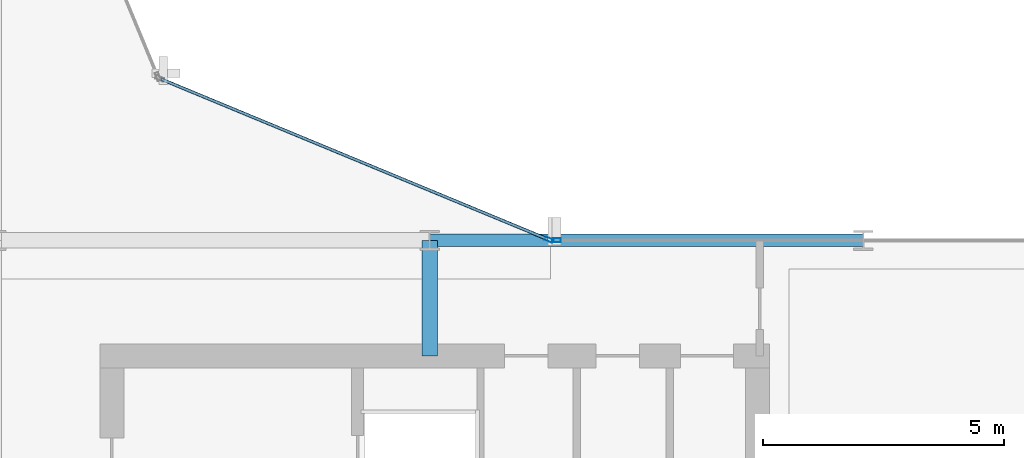
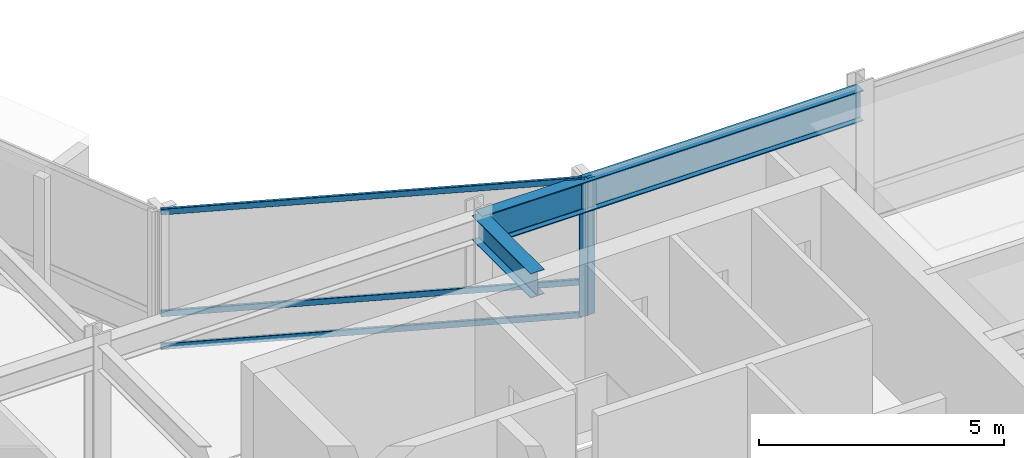
# One storey, part 12 of 27: 5 members, 2 beams, 2 elements without a shape of their own.
"""IFC4 building model written with IfcOpenShell, lengths in metres."""

from ifc_helpers import new_model, si_unit, direction, frame, origin, origin_2d, place, context, subcontext, project, spatial, hollow_rectangle, i_section, extrude, material, layer, layer_set, material_profile, profile_set, type_object, element, aggregate, save


model = new_model("IFC4")

# Units and contexts
model_context = context("Model", 3, precision=1e-05, world=origin(), true_north=direction((0.0, 1.0)))
body_context = subcontext(model_context, "Body", "Model", "MODEL_VIEW")
ifc_project = project(units=[si_unit("LENGTHUNIT", "METRE"), si_unit("AREAUNIT", "SQUARE_METRE"), si_unit("VOLUMEUNIT", "CUBIC_METRE"), si_unit("PLANEANGLEUNIT", "RADIAN"), si_unit("MASSUNIT", "GRAM", prefix="KILO")], contexts=[model_context])

# Site, building, storey
site_placement = place(None, origin())
site = spatial("IfcSite", under=ifc_project, at=site_placement, CompositionType="ELEMENT")
building_placement = place(site_placement, origin())
building = spatial("IfcBuilding", under=site, at=building_placement, Name="Solvaryn Broadcast Tower", CompositionType="ELEMENT")
storey_placement = place(building_placement, frame((0.0, 0.0, 189.0)))
storey = spatial("IfcBuildingStorey", under=building, at=storey_placement, Name="L47", CompositionType="ELEMENT", Elevation=189.0)

# Beams
ifc_material_1 = material(Name="Steel ASTM A992 Grade 50", Category="steel")
ifc_material_profile_1 = material_profile(ifc_material_1, i_section(OverallWidth=0.323974609375, OverallDepth=0.611083984375, WebThickness=0.0126953125, FlangeThickness=0.01904296875, FilletRadius=0.014892578125, at=origin_2d()))
ifc_profile_set_1 = profile_set([ifc_material_profile_1], Name="Steel ASTM A992 Grade 50")
beam_type_1 = type_object("IfcBeamType", Name="BM-B1-W24X104", PredefinedType="BEAM", material=ifc_profile_set_1)
beam_1_placement = place(storey_placement, frame((36.0, 24.60009765625, 3.114501953125), z_axis=(0.0, 1.0, 0.0), x_axis=(-1.0, 0.0, 0.0)))
element("IfcBeam", 1, at=beam_1_placement, inside=storey, type_object=beam_type_1, Name="L47 Core Tie Beam CTE2", PredefinedType="BEAM", context=body_context, shape_type="SweptSolid", body=[
    extrude(i_section(OverallWidth=0.323974609375, OverallDepth=0.611083984375, WebThickness=0.0126953125, FlangeThickness=0.01904296875, FilletRadius=0.014892578125, at=origin_2d()), origin(), (0.0, 0.0, 1.0), 2.39990234375),
])
ifc_material_2 = material(Name="Steel ASTM A992 Grade 50", Category="steel")
ifc_material_profile_2 = material_profile(ifc_material_2, i_section(OverallWidth=0.26708984375, OverallDepth=0.76611328125, WebThickness=0.014892578125, FlangeThickness=0.023681640625, FilletRadius=0.01806640625, at=origin_2d()))
ifc_profile_set_2 = profile_set([ifc_material_profile_2], Name="Steel ASTM A992 Grade 50")
beam_type_2 = type_object("IfcBeamType", Name="BM-SP2-W30X124", PredefinedType="USERDEFINED", material=ifc_profile_set_2)
beam_2_placement = place(storey_placement, frame((36.0, 27.0, 3.037109375), z_axis=(1.0, 0.0, 0.0), x_axis=(0.0, 1.0, 0.0)))
element("IfcBeam", 2, at=beam_2_placement, inside=storey, type_object=beam_type_2, Name="L47 Spandrel Beam X (36-45 @ Y=27)", ObjectType="SPANDREL", PredefinedType="USERDEFINED", context=body_context, shape_type="SweptSolid", body=[
    extrude(i_section(OverallWidth=0.26708984375, OverallDepth=0.76611328125, WebThickness=0.014892578125, FlangeThickness=0.023681640625, FilletRadius=0.01806640625, at=origin_2d()), origin(), (0.0, 0.0, 1.0), 9.0),
])

# Curtain wall, member
ifc_material_3 = material(Name="Aluminium and Terracotta Unitised Curtain Wall", Category="masonry")
ifc_layer = layer(ifc_material_3, 0.199951171875)
ifc_layer_set = layer_set([ifc_layer], Name="CW-SYS2-LOWMID")
curtain_wall_type = type_object("IfcCurtainWallType", Name="CW-SYS2-LOWMID", PredefinedType="NOTDEFINED", material=ifc_layer_set)
curtain_wall_1_placement = place(storey_placement, origin())
curtain_wall_1 = element("IfcCurtainWall", 3, at=curtain_wall_1_placement, inside=storey, type_object=curtain_wall_type, Name="L47 Curtain Wall CN1", PredefinedType="NOTDEFINED")
ifc_material_4 = material(Name="Anodised Aluminium 6063-T6", Category="aluminium")
ifc_material_profile_3 = material_profile(ifc_material_4, hollow_rectangle(XDim=0.074951171875, YDim=0.179931640625, WallThickness=0.00390625, InnerFilletRadius=0.00390625, OuterFilletRadius=0.008056640625, at=origin_2d()))
ifc_profile_set_3 = profile_set([ifc_material_profile_3], Name="Anodised Aluminium 6063-T6")
member_type_1 = type_object("IfcMemberType", Name="CW-MUL-180", PredefinedType="MULLION", material=ifc_profile_set_3)
member_1_placement = place(storey_placement, frame((38.47216796875, 27.011474609375, 0.0), z_axis=(0.0, 0.0, 1.0), x_axis=(-0.382646127145, -0.923894983957, 0.0)))
member_1 = element("IfcMember", 4, at=member_1_placement, type_object=member_type_1, Name="CWS2 mullion 1", PredefinedType="MULLION", context=body_context, shape_type="SweptSolid", body=[
    extrude(hollow_rectangle(XDim=0.074951171875, YDim=0.179931640625, WallThickness=0.00390625, InnerFilletRadius=0.00390625, OuterFilletRadius=0.008056640625, at=origin_2d()), origin(), (0.0, 0.0, 1.0), 3.419921875),
])

curtain_wall_2_placement = place(storey_placement, origin())
curtain_wall_2 = element("IfcCurtainWall", 5, at=curtain_wall_2_placement, inside=storey, type_object=curtain_wall_type, Name="L47 Curtain Wall IH", PredefinedType="NOTDEFINED")
member_2_placement = place(storey_placement, frame((38.6298828125, 27.0, 0.0), z_axis=(0.0, 0.0, 1.0), x_axis=(0.0, 1.0, 0.0)))
member_2 = element("IfcMember", 6, at=member_2_placement, type_object=member_type_1, Name="CWS2 mullion 1", PredefinedType="MULLION", context=body_context, shape_type="SweptSolid", body=[
    extrude(hollow_rectangle(XDim=0.074951171875, YDim=0.179931640625, WallThickness=0.00390625, InnerFilletRadius=0.00390625, OuterFilletRadius=0.008056640625, at=origin_2d()), origin(), (0.0, 0.0, 1.0), 3.419921875),
])
aggregate(curtain_wall_2, [member_2])

# Member
ifc_material_5 = material(Name="Anodised Aluminium 6063-T6", Category="aluminium")
ifc_material_profile_4 = material_profile(ifc_material_5, hollow_rectangle(XDim=0.06494140625, YDim=0.14990234375, WallThickness=0.00390625, InnerFilletRadius=0.00390625, OuterFilletRadius=0.008056640625, at=origin_2d()))
ifc_profile_set_4 = profile_set([ifc_material_profile_4], Name="Anodised Aluminium 6063-T6")
member_type_2 = type_object("IfcMemberType", Name="CW-TRN-150", PredefinedType="USERDEFINED", material=ifc_profile_set_4)
member_3_placement = place(storey_placement, frame((38.444580078125, 27.02294921875, 0.030029296875), z_axis=(-0.923899282177, 0.382635748975, 0.0), x_axis=(-0.382635748975, -0.923899282177, 0.0)))
member_3 = element("IfcMember", 7, at=member_3_placement, type_object=member_type_2, Name="CWS2 transom 1.1", ObjectType="TRANSOM", PredefinedType="USERDEFINED", context=body_context, shape_type="SweptSolid", body=[
    extrude(hollow_rectangle(XDim=0.06494140625, YDim=0.14990234375, WallThickness=0.00390625, InnerFilletRadius=0.00390625, OuterFilletRadius=0.008056640625, at=origin_2d()), origin(), (0.0, 0.0, 1.0), 8.681884765625),
])

member_4_placement = place(storey_placement, frame((38.444580078125, 27.02294921875, 0.85009765625), z_axis=(-0.923899282177, 0.382635748975, 0.0), x_axis=(-0.382635748975, -0.923899282177, 0.0)))
member_4 = element("IfcMember", 8, at=member_4_placement, type_object=member_type_2, Name="CWS2 transom 1.2", ObjectType="TRANSOM", PredefinedType="USERDEFINED", context=body_context, shape_type="SweptSolid", body=[
    extrude(hollow_rectangle(XDim=0.06494140625, YDim=0.14990234375, WallThickness=0.00390625, InnerFilletRadius=0.00390625, OuterFilletRadius=0.008056640625, at=origin_2d()), origin(), (0.0, 0.0, 1.0), 8.681884765625),
])

member_5_placement = place(storey_placement, frame((38.444580078125, 27.02294921875, 3.389892578125), z_axis=(-0.923899282177, 0.382635748975, 0.0), x_axis=(-0.382635748975, -0.923899282177, 0.0)))
member_5 = element("IfcMember", 9, at=member_5_placement, type_object=member_type_2, Name="CWS2 transom 1.3", ObjectType="TRANSOM", PredefinedType="USERDEFINED", context=body_context, shape_type="SweptSolid", body=[
    extrude(hollow_rectangle(XDim=0.06494140625, YDim=0.14990234375, WallThickness=0.00390625, InnerFilletRadius=0.00390625, OuterFilletRadius=0.008056640625, at=origin_2d()), origin(), (0.0, 0.0, 1.0), 8.681884765625),
])

aggregate(curtain_wall_1, [member_1, member_3, member_4, member_5])

save(model, "model.ifc")
